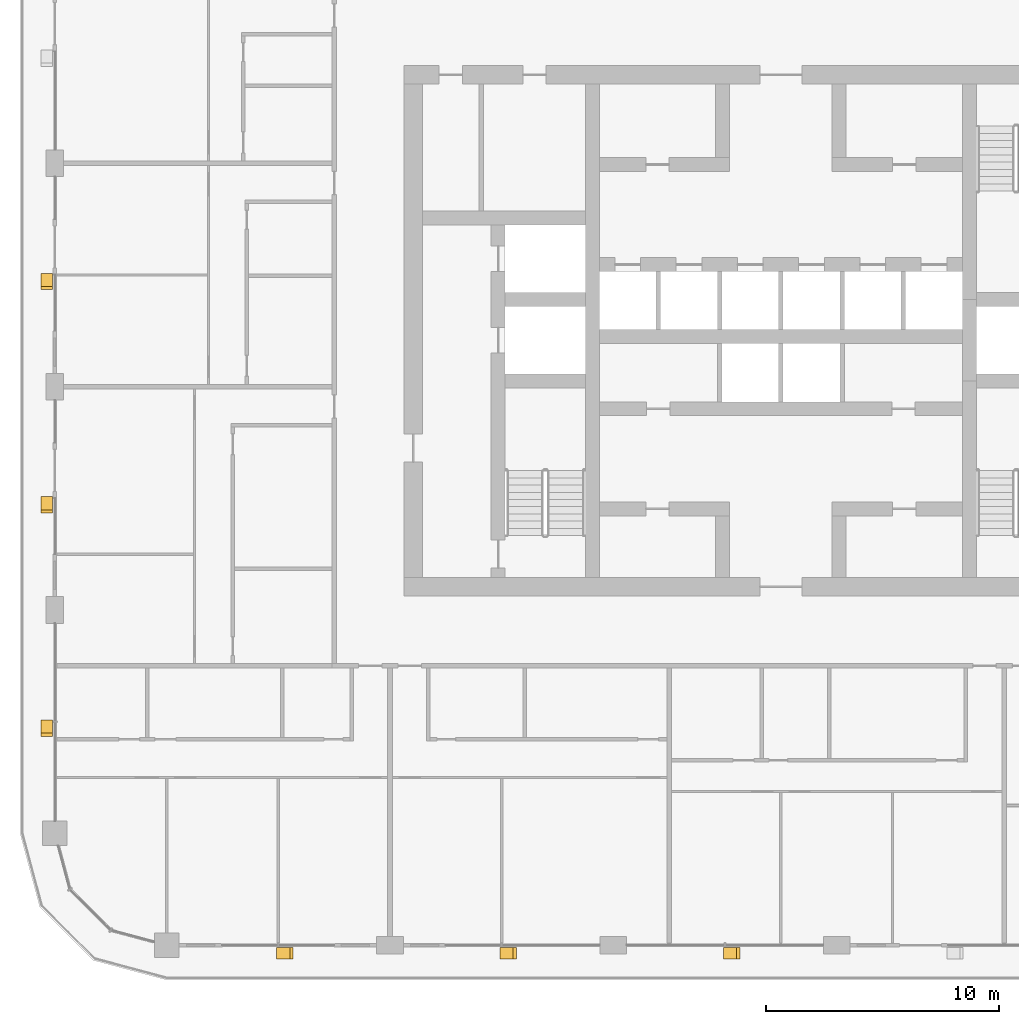
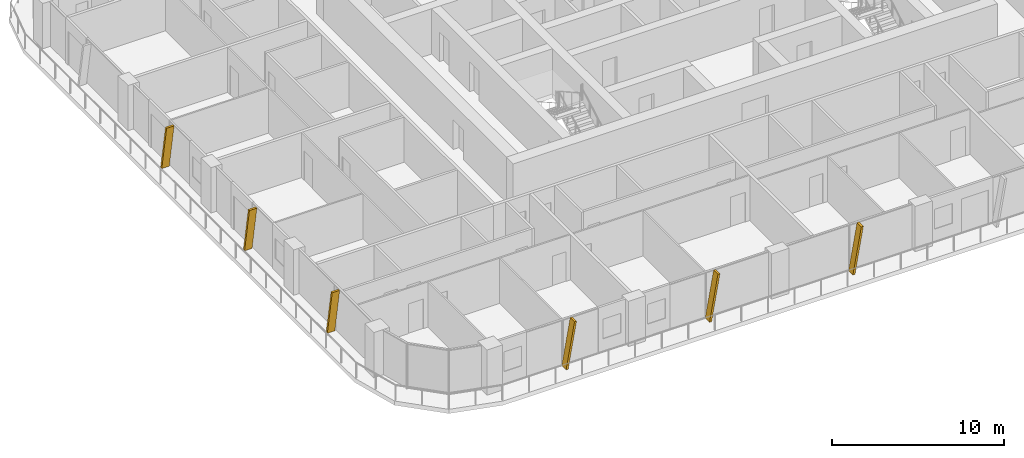
# One storey, part 17 of 22: 6 shading devices.
"""IFC4 building model written with IfcOpenShell, lengths in metres."""

from ifc_helpers import new_model, si_unit, direction, frame, origin, place, context, subcontext, project, spatial, polyline, outline, extrude, material, type_object, element, save


model = new_model("IFC4")

# Units and contexts
model_context = context("Model", 3, precision=1e-05, world=origin(), true_north=direction((0.0, 1.0)))
body_context = subcontext(model_context, "Body", "Model", "MODEL_VIEW")
ifc_project = project(units=[si_unit("LENGTHUNIT", "METRE"), si_unit("AREAUNIT", "SQUARE_METRE"), si_unit("VOLUMEUNIT", "CUBIC_METRE"), si_unit("PLANEANGLEUNIT", "RADIAN"), si_unit("MASSUNIT", "GRAM", prefix="KILO")], contexts=[model_context])

# Site, building, storey
site_placement = place(None, origin())
site = spatial("IfcSite", under=ifc_project, at=site_placement, CompositionType="ELEMENT")
building_placement = place(site_placement, origin())
building = spatial("IfcBuilding", under=site, at=building_placement, Name="Madar Terraces", CompositionType="ELEMENT")
storey_placement = place(building_placement, frame((0.0, 0.0, 152.5)))
storey = spatial("IfcBuildingStorey", under=building, at=storey_placement, Name="L39", CompositionType="ELEMENT", Elevation=152.5)

# Shading devices
ifc_material = material(Name="Aluminium, black anodised", Category="aluminium")
shading_device_type = type_object("IfcShadingDeviceType", Name="Facade fin blade 140 x 500", PredefinedType="USERDEFINED", material=ifc_material)
shading_device_1_placement = place(storey_placement, frame((9.530029296875, -0.35009765625, 0.0), z_axis=(0.0, 0.0, 1.0), x_axis=(1.0, 0.0, 0.0)))
element("IfcShadingDevice", 1, at=shading_device_1_placement, inside=storey, type_object=shading_device_type, Name="FIN L39 S1", ObjectType="FIN", PredefinedType="USERDEFINED", context=body_context, shape_type="SweptSolid", body=[
    extrude(outline(polyline([(0.0, 0.0), (0.139892578125, 0.0), (0.704345703125, 3.199951171875), (0.564208984375, 3.199951171875), (0.0, 0.0)])), frame((0.0, 0.25, 0.0), z_axis=(0.0, -1.0, 0.0), x_axis=(1.0, 0.0, 0.0)), (0.0, 0.0, 1.0), 0.5),
])
for number, where, z_axis, x_axis, name in (
    (2, (19.1298828125, -0.35009765625, 0.0), (0.0, 0.0, 1.0), (1.0, 0.0, 0.0), "FIN L39 S2"),
    (3, (28.72998046875, -0.35009765625, 0.0), (0.0, 0.0, 1.0), (1.0, 0.0, 0.0), "FIN L39 S3"),
    (4, (-0.35009765625, 28.8701171875, 0.0), (0.0, 0.0, 1.0), (0.0, -1.0, 0.0), "FIN L39 W2"),
    (5, (-0.35009765625, 19.27001953125, 0.0), (0.0, 0.0, 1.0), (0.0, -1.0, 0.0), "FIN L39 W3"),
):
    element("IfcShadingDevice", number, at=place(storey_placement, frame(where, z_axis=z_axis, x_axis=x_axis)), inside=storey, type_object=shading_device_type, Name=name, ObjectType="FIN", PredefinedType="USERDEFINED", context=body_context, shape_type="SweptSolid", body=[
        extrude(outline(polyline([(0.0, 0.0), (0.14013671875, 0.0), (0.704345703125, 3.199951171875), (0.564208984375, 3.199951171875), (0.0, 0.0)])), frame((0.0, 0.25, 0.0), z_axis=(0.0, -1.0, 0.0), x_axis=(1.0, 0.0, 0.0)), (0.0, 0.0, 1.0), 0.5),
    ])
shading_device_2_placement = place(storey_placement, frame((-0.35009765625, 9.669921875, 0.0), z_axis=(0.0, 0.0, 1.0), x_axis=(0.0, -1.0, 0.0)))
element("IfcShadingDevice", 6, at=shading_device_2_placement, inside=storey, type_object=shading_device_type, Name="FIN L39 W4", ObjectType="FIN", PredefinedType="USERDEFINED", context=body_context, shape_type="SweptSolid", body=[
    extrude(outline(polyline([(0.0, 0.0), (0.139892578125, 0.0), (0.704345703125, 3.199951171875), (0.564208984375, 3.199951171875), (0.0, 0.0)])), frame((0.0, 0.25, 0.0), z_axis=(0.0, -1.0, 0.0), x_axis=(1.0, 0.0, 0.0)), (0.0, 0.0, 1.0), 0.5),
])

save(model, "model.ifc")
